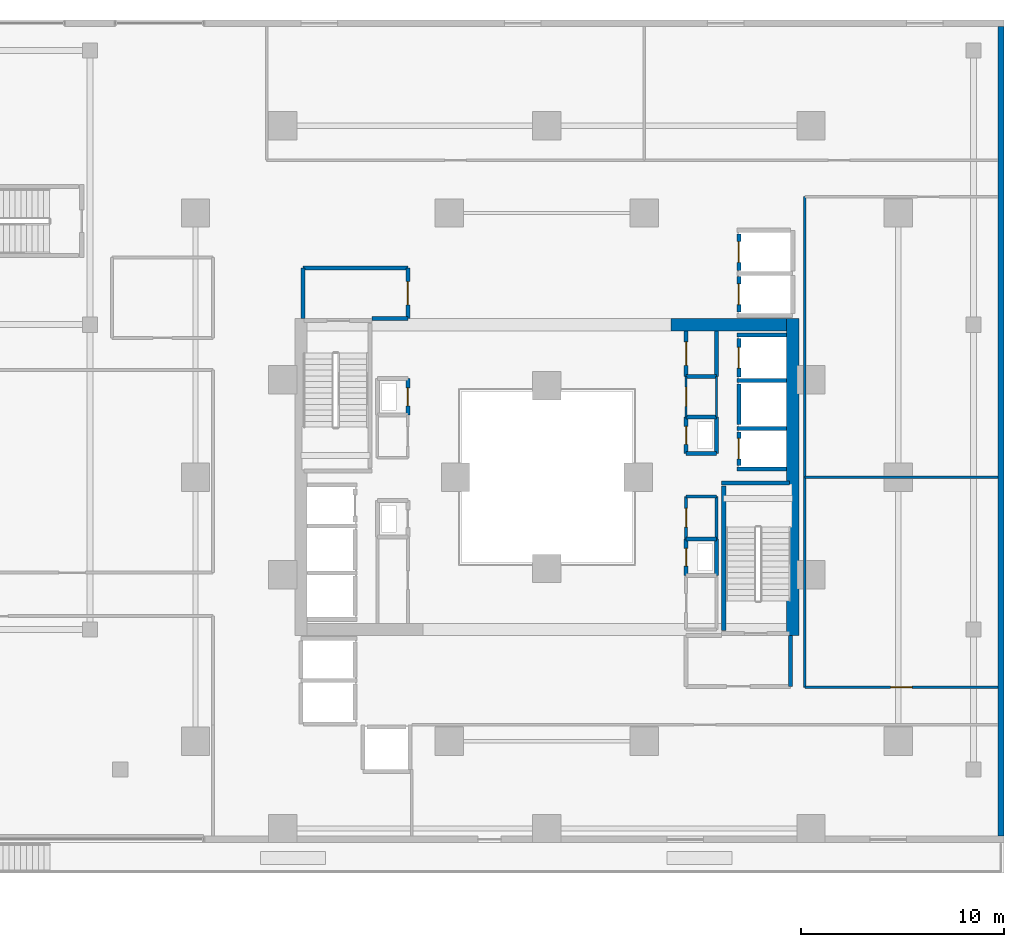
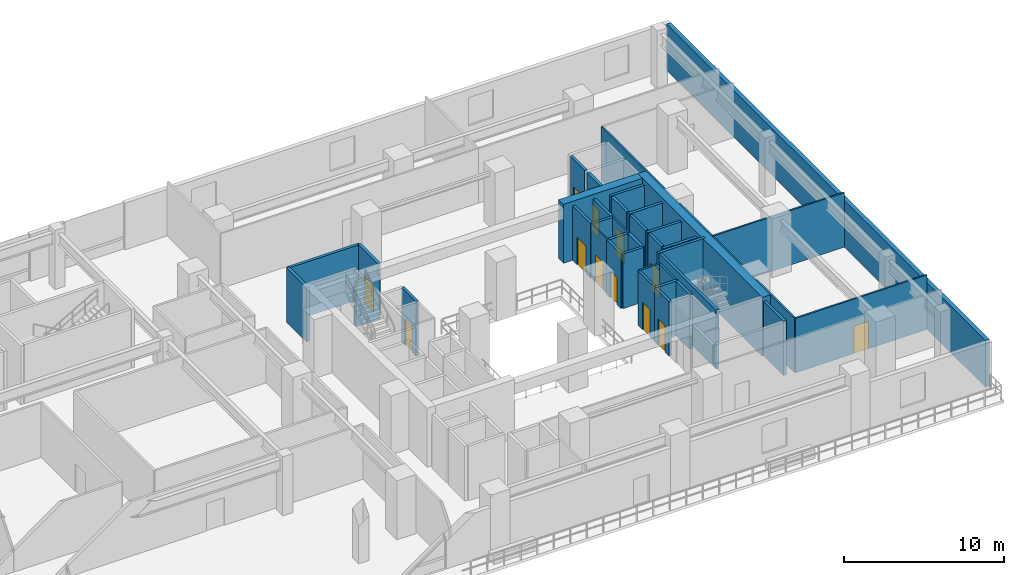
# One storey, part 17 of 24: 39 walls, 12 doors, 12 openings.
"""IFC4 building model written with IfcOpenShell, lengths in metres."""

from ifc_helpers import new_model, si_unit, direction, frame, frame_2d, origin, place, context, subcontext, project, spatial, rectangle, extrude, material, layer, layer_set, type_object, element, fill, save


model = new_model("IFC4")

# Units and contexts
model_context = context("Model", 3, precision=1e-05, world=origin(), true_north=direction((0.0, 1.0)))
body_context = subcontext(model_context, "Body", "Model", "MODEL_VIEW")
ifc_project = project(units=[si_unit("LENGTHUNIT", "METRE"), si_unit("AREAUNIT", "SQUARE_METRE"), si_unit("VOLUMEUNIT", "CUBIC_METRE"), si_unit("PLANEANGLEUNIT", "RADIAN"), si_unit("MASSUNIT", "GRAM", prefix="KILO")], contexts=[model_context])

# Site, building, storey
site_placement = place(None, origin())
site = spatial("IfcSite", under=ifc_project, at=site_placement, CompositionType="ELEMENT")
building_placement = place(site_placement, origin())
building = spatial("IfcBuilding", under=site, at=building_placement, Name="Thornwick Lancets Civic Towers", CompositionType="ELEMENT")
storey_placement = place(building_placement, frame((0.0, 0.0, 14.10009765625)))
storey = spatial("IfcBuildingStorey", under=building, at=storey_placement, Name="L03", CompositionType="ELEMENT", Elevation=14.10009765625)

# Wall, opening, door
ifc_material_1 = material(Name="Concrete blockwork C40/50", Category="masonry")
ifc_layer_1 = layer(ifc_material_1, 0.199951171875, Name="Concrete blockwork C40/50")
ifc_layer_set_1 = layer_set([ifc_layer_1], Name="Concrete blockwork C40/50")
wall_type_1 = type_object("IfcWallType", Name="WALL_COMP_200", PredefinedType="STANDARD", material=ifc_layer_set_1)
wall_1_placement = place(storey_placement, frame((97.949951171875, 29.219970703125, 0.0), z_axis=(0.0, 0.0, 1.0), x_axis=(0.0, -1.0, 0.0)))
wall_1 = element("IfcWall", 1, at=wall_1_placement, inside=storey, type_object=wall_type_1, Name="L03 Hoistway Front Wall FL-B1", PredefinedType="STANDARD", context=body_context, shape_type="SweptSolid", body=[
    extrude(rectangle(XDim=1.639892578125, YDim=0.199951171875, at=frame_2d((0.81982421875, 0.0))), origin(), (0.0, 0.0, 1.0), 4.159912109375),
])
opening_1_placement = place(wall_1_placement, frame((0.31005859375, 0.0, 0.0)))
opening_1 = element("IfcOpeningElement", 2, at=opening_1_placement, cuts=wall_1, Name="Opening LD-FL-B1", PredefinedType="OPENING", context=body_context, shape_type="SweptSolid", body=[
    extrude(rectangle(XDim=1.02001953125, YDim=2.06005859375, at=frame_2d((0.510009765625, 1.030029296875))), frame((0.0, 0.10986328125, 0.0), z_axis=(0.0, -1.0, 0.0), x_axis=(1.0, 0.0, 0.0)), (0.0, 0.0, 1.0), 0.219970703125),
])
ifc_material_2 = material(Name="Brushed bronze stainless steel", Category="steel")
door_type_1 = type_object("IfcDoorType", Name="DOOR_LIFT_SLIDE", OperationType="SLIDING_TO_LEFT", PredefinedType="DOOR", material=ifc_material_2)
door_1_placement = place(opening_1_placement, origin())
door_1 = element("IfcDoor", 3, at=door_1_placement, inside=storey, type_object=door_type_1, Name="L03 Sliding Lift Landing Door LD-FL-B1", OperationType="SLIDING_TO_LEFT", OverallHeight=2.06005859375, OverallWidth=1.02001953125, PredefinedType="DOOR", context=body_context, shape_type="SweptSolid", body=[
    extrude(rectangle(XDim=1.02001953125, YDim=2.06005859375, at=frame_2d((0.510009765625, 1.030029296875))), frame((0.0, 0.02490234375, 0.0), z_axis=(0.0, -1.0, 0.0), x_axis=(1.0, 0.0, 0.0)), (0.0, 0.0, 1.0), 0.050048828125),
])
fill(opening_1, door_1)

# Wall
wall_2_placement = place(storey_placement, frame((97.949951171875, 31.570068359375, 0.0), z_axis=(0.0, 0.0, 1.0), x_axis=(0.0, -1.0, 0.0)))
element("IfcWall", 4, at=wall_2_placement, inside=storey, type_object=wall_type_1, Name="L03 Hoistway Front Wall PL-BH1", PredefinedType="STANDARD", context=body_context, shape_type="SweptSolid", body=[
    extrude(rectangle(XDim=1.989990234375, YDim=0.199951171875, at=frame_2d((0.9951171875, 0.0))), origin(), (0.0, 0.0, 1.0), 4.159912109375),
])

# Wall, opening, door
wall_3_placement = place(storey_placement, frame((97.949951171875, 33.820068359375, 0.0), z_axis=(0.0, 0.0, 1.0), x_axis=(0.0, -1.0, 0.0)))
wall_3 = element("IfcWall", 5, at=wall_3_placement, inside=storey, type_object=wall_type_1, Name="L03 Hoistway Front Wall PL-BL1", PredefinedType="STANDARD", context=body_context, shape_type="SweptSolid", body=[
    extrude(rectangle(XDim=1.89013671875, YDim=0.199951171875, at=frame_2d((0.945068359375, 0.0))), origin(), (0.0, 0.0, 1.0), 4.159912109375),
])
opening_2_placement = place(wall_3_placement, frame((0.43505859375, 0.0, 0.0)))
opening_2 = element("IfcOpeningElement", 6, at=opening_2_placement, cuts=wall_3, Name="Opening LD-PL-BL1", PredefinedType="OPENING", context=body_context, shape_type="SweptSolid", body=[
    extrude(rectangle(XDim=1.02001953125, YDim=2.06005859375, at=frame_2d((0.510009765625, 1.030029296875))), frame((0.0, 0.10986328125, 0.0), z_axis=(0.0, -1.0, 0.0), x_axis=(1.0, 0.0, 0.0)), (0.0, 0.0, 1.0), 0.219970703125),
])
door_2_placement = place(opening_2_placement, origin())
door_2 = element("IfcDoor", 7, at=door_2_placement, inside=storey, type_object=door_type_1, Name="L03 Sliding Lift Landing Door LD-PL-BL1", OperationType="SLIDING_TO_LEFT", OverallHeight=2.06005859375, OverallWidth=1.02001953125, PredefinedType="DOOR", context=body_context, shape_type="SweptSolid", body=[
    extrude(rectangle(XDim=1.02001953125, YDim=2.06005859375, at=frame_2d((0.510009765625, 1.030029296875))), frame((0.0, 0.02490234375, 0.0), z_axis=(0.0, -1.0, 0.0), x_axis=(1.0, 0.0, 0.0)), (0.0, 0.0, 1.0), 0.050048828125),
])
fill(opening_2, door_2)

wall_4_placement = place(storey_placement, frame((97.949951171875, 36.8701171875, 0.0), z_axis=(0.0, 0.0, 1.0), x_axis=(0.0, -1.0, 0.0)))
wall_4 = element("IfcWall", 8, at=wall_4_placement, inside=storey, type_object=wall_type_1, Name="L03 Hoistway Front Wall PL-BL2", PredefinedType="STANDARD", context=body_context, shape_type="SweptSolid", body=[
    extrude(rectangle(XDim=1.740234375, YDim=0.199951171875, at=frame_2d((0.8701171875, 0.0))), origin(), (0.0, 0.0, 1.0), 4.159912109375),
])
opening_3_placement = place(wall_4_placement, frame((0.360107421875, 0.0, 0.0)))
opening_3 = element("IfcOpeningElement", 9, at=opening_3_placement, cuts=wall_4, Name="Opening LD-PL-BL2", PredefinedType="OPENING", context=body_context, shape_type="SweptSolid", body=[
    extrude(rectangle(XDim=1.02001953125, YDim=2.06005859375, at=frame_2d((0.510009765625, 1.030029296875))), frame((0.0, 0.10986328125, 0.0), z_axis=(0.0, -1.0, 0.0), x_axis=(1.0, 0.0, 0.0)), (0.0, 0.0, 1.0), 0.219970703125),
])
door_3_placement = place(opening_3_placement, origin())
door_3 = element("IfcDoor", 10, at=door_3_placement, inside=storey, type_object=door_type_1, Name="L03 Sliding Lift Landing Door LD-PL-BL2", OperationType="SLIDING_TO_LEFT", OverallHeight=2.06005859375, OverallWidth=1.02001953125, PredefinedType="DOOR", context=body_context, shape_type="SweptSolid", body=[
    extrude(rectangle(XDim=1.02001953125, YDim=2.06005859375, at=frame_2d((0.510009765625, 1.030029296875))), frame((0.0, 0.02490234375, 0.0), z_axis=(0.0, -1.0, 0.0), x_axis=(1.0, 0.0, 0.0)), (0.0, 0.0, 1.0), 0.050048828125),
])
fill(opening_3, door_3)

wall_5_placement = place(storey_placement, frame((97.949951171875, 38.969970703125, 0.0), z_axis=(0.0, 0.0, 1.0), x_axis=(0.0, -1.0, 0.0)))
wall_5 = element("IfcWall", 11, at=wall_5_placement, inside=storey, type_object=wall_type_1, Name="L03 Hoistway Front Wall PL-BL3", PredefinedType="STANDARD", context=body_context, shape_type="SweptSolid", body=[
    extrude(rectangle(XDim=1.7900390625, YDim=0.199951171875, at=frame_2d((0.89501953125, 0.0))), origin(), (0.0, 0.0, 1.0), 4.159912109375),
])
opening_4_placement = place(wall_5_placement, frame((0.385009765625, 0.0, 0.0)))
opening_4 = element("IfcOpeningElement", 12, at=opening_4_placement, cuts=wall_5, Name="Opening LD-PL-BL3", PredefinedType="OPENING", context=body_context, shape_type="SweptSolid", body=[
    extrude(rectangle(XDim=1.02001953125, YDim=2.06005859375, at=frame_2d((0.510009765625, 1.030029296875))), frame((0.0, 0.10986328125, 0.0), z_axis=(0.0, -1.0, 0.0), x_axis=(1.0, 0.0, 0.0)), (0.0, 0.0, 1.0), 0.219970703125),
])
door_4_placement = place(opening_4_placement, origin())
door_4 = element("IfcDoor", 13, at=door_4_placement, inside=storey, type_object=door_type_1, Name="L03 Sliding Lift Landing Door LD-PL-BL3", OperationType="SLIDING_TO_LEFT", OverallHeight=2.06005859375, OverallWidth=1.02001953125, PredefinedType="DOOR", context=body_context, shape_type="SweptSolid", body=[
    extrude(rectangle(XDim=1.02001953125, YDim=2.06005859375, at=frame_2d((0.510009765625, 1.030029296875))), frame((0.0, 0.02490234375, 0.0), z_axis=(0.0, -1.0, 0.0), x_axis=(1.0, 0.0, 0.0)), (0.0, 0.0, 1.0), 0.050048828125),
])
fill(opening_4, door_4)

# Walls
for number, where, z_axis, x_axis, name in (
    (14, (97.85205078125, 29.39990234375, 0.0), (0.0, 0.0, 1.0), (1.0, 0.0, 0.0), "L03 Hoistway Shaft Wall FL-B1 N"),
    (15, (97.85205078125, 27.39990234375, 0.0), (0.0, 0.0, 1.0), (1.0, 0.0, 0.0), "L03 Hoistway Shaft Wall FL-B1 S"),
    (16, (97.85205078125, 31.75, 0.0), (0.0, 0.0, 1.0), (1.0, 0.0, 0.0), "L03 Hoistway Shaft Wall PL-BH1 N"),
    (17, (97.85205078125, 34.0, 0.0), (0.0, 0.0, 1.0), (1.0, 0.0, 0.0), "L03 Hoistway Shaft Wall PL-BL1 N"),
):
    element("IfcWall", number, at=place(storey_placement, frame(where, z_axis=z_axis, x_axis=x_axis)), inside=storey, type_object=wall_type_1, Name=name, PredefinedType="STANDARD", context=body_context, shape_type="SweptSolid", body=[
        extrude(rectangle(XDim=2.43603515625, YDim=0.199951171875, at=frame_2d((1.218017578125, 0.0))), origin(), (0.0, 0.0, 1.0), 4.159912109375),
    ])
wall_6_placement = place(storey_placement, frame((100.5, 16.699951171875, 0.0), z_axis=(0.0, 0.0, 1.0), x_axis=(0.0, 1.0, 0.0)))
element("IfcWall", 18, at=wall_6_placement, inside=storey, type_object=wall_type_1, Name="L03 Partition L03-B-FFLOB1 E2", PredefinedType="STANDARD", context=body_context, shape_type="SweptSolid", body=[
    extrude(rectangle(XDim=2.5, YDim=0.199951171875, at=frame_2d((1.25, 0.0))), origin(), (0.0, 0.0, 1.0), 4.159912109375),
])
wall_7_placement = place(storey_placement, frame((79.89990234375, 34.800048828125, 0.0), z_axis=(0.0, 0.0, 1.0), x_axis=(1.0, 0.0, 0.0)))
element("IfcWall", 19, at=wall_7_placement, inside=storey, type_object=wall_type_1, Name="L03 Partition L03-B-FFLOB2 E1", PredefinedType="STANDARD", context=body_context, shape_type="SweptSolid", body=[
    extrude(rectangle(XDim=1.75, YDim=0.199951171875, at=frame_2d((0.875, 0.0))), origin(), (0.0, 0.0, 1.0), 3.364990234375),
])

# Wall, opening, door
wall_8_placement = place(storey_placement, frame((81.64990234375, 34.800048828125, 0.0), z_axis=(0.0, 0.0, 1.0), x_axis=(0.0, 1.0, 0.0)))
wall_8 = element("IfcWall", 20, at=wall_8_placement, inside=storey, type_object=wall_type_1, Name="L03 Partition L03-B-FFLOB2 E2", PredefinedType="STANDARD", context=body_context, shape_type="SweptSolid", body=[
    extrude(rectangle(XDim=2.5, YDim=0.199951171875, at=frame_2d((1.25, 0.0))), origin(), (0.0, 0.0, 1.0), 4.159912109375),
])
opening_5_placement = place(wall_8_placement, frame((0.675048828125, 0.0, 0.0)))
opening_5 = element("IfcOpeningElement", 21, at=opening_5_placement, cuts=wall_8, Name="Opening D-L03-0198", PredefinedType="OPENING", context=body_context, shape_type="SweptSolid", body=[
    extrude(rectangle(XDim=1.14990234375, YDim=2.10009765625, at=frame_2d((0.574951171875, 1.050048828125))), frame((0.0, 0.10986328125, 0.0), z_axis=(0.0, -1.0, 0.0), x_axis=(1.0, 0.0, 0.0)), (0.0, 0.0, 1.0), 0.219970703125),
])
ifc_material_3 = material(Name="Glazed fire-resisting steel", Category="steel")
door_type_2 = type_object("IfcDoorType", Name="DOOR_LOBBY_FD60", OperationType="NOTDEFINED", PredefinedType="DOOR", material=ifc_material_3)
door_5_placement = place(opening_5_placement, origin())
door_5 = element("IfcDoor", 22, at=door_5_placement, inside=storey, type_object=door_type_2, Name="L03 West Firefighting Lobby 2 Door", OperationType="SINGLE_SWING_LEFT", OverallHeight=2.10009765625, OverallWidth=1.14990234375, PredefinedType="DOOR", context=body_context, shape_type="SweptSolid", body=[
    extrude(rectangle(XDim=1.14990234375, YDim=2.10009765625, at=frame_2d((0.574951171875, 1.050048828125))), frame((0.0, 0.02490234375, 0.0), z_axis=(0.0, -1.0, 0.0), x_axis=(1.0, 0.0, 0.0)), (0.0, 0.0, 1.0), 0.050048828125),
])
fill(opening_5, door_5)

# Walls
wall_9_placement = place(storey_placement, frame((81.64990234375, 37.300048828125, 0.0), z_axis=(0.0, 0.0, 1.0), x_axis=(-1.0, 0.0, 0.0)))
element("IfcWall", 23, at=wall_9_placement, inside=storey, type_object=wall_type_1, Name="L03 Partition L03-B-FFLOB2 E3", PredefinedType="STANDARD", context=body_context, shape_type="SweptSolid", body=[
    extrude(rectangle(XDim=5.14990234375, YDim=0.199951171875, at=frame_2d((2.574951171875, 0.0))), origin(), (0.0, 0.0, 1.0), 4.159912109375),
])
wall_10_placement = place(storey_placement, frame((76.5, 37.300048828125, 0.0), z_axis=(0.0, 0.0, 1.0), x_axis=(0.0, -1.0, 0.0)))
element("IfcWall", 24, at=wall_10_placement, inside=storey, type_object=wall_type_1, Name="L03 Partition L03-B-FFLOB2 E4", PredefinedType="STANDARD", context=body_context, shape_type="SweptSolid", body=[
    extrude(rectangle(XDim=2.5, YDim=0.199951171875, at=frame_2d((1.25, 0.0))), origin(), (0.0, 0.0, 1.0), 4.159912109375),
])
wall_11_placement = place(storey_placement, frame((95.35009765625, 28.14990234375, 0.0), z_axis=(0.0, 0.0, 1.0), x_axis=(1.0, 0.0, 0.0)))
element("IfcWall", 25, at=wall_11_placement, inside=storey, type_object=wall_type_1, Name="L03 Partition L03-B-DUCT1 E1", PredefinedType="STANDARD", context=body_context, shape_type="SweptSolid", body=[
    extrude(rectangle(XDim=1.5, YDim=0.199951171875, at=frame_2d((0.75, 0.0))), origin(), (0.0, 0.0, 1.0), 4.159912109375),
])
wall_12_placement = place(storey_placement, frame((96.85009765625, 28.14990234375, 0.0), z_axis=(0.0, 0.0, 1.0), x_axis=(0.0, 1.0, 0.0)))
element("IfcWall", 26, at=wall_12_placement, inside=storey, type_object=wall_type_1, Name="L03 Partition L03-B-DUCT1 E2", PredefinedType="STANDARD", context=body_context, shape_type="SweptSolid", body=[
    extrude(rectangle(XDim=1.800048828125, YDim=0.199951171875, at=frame_2d((0.89990234375, 0.0))), origin(), (0.0, 0.0, 1.0), 4.159912109375),
])
wall_13_placement = place(storey_placement, frame((96.85009765625, 29.949951171875, 0.0), z_axis=(0.0, 0.0, 1.0), x_axis=(-1.0, 0.0, 0.0)))
element("IfcWall", 27, at=wall_13_placement, inside=storey, type_object=wall_type_1, Name="L03 Partition L03-B-DUCT1 E3", PredefinedType="STANDARD", context=body_context, shape_type="SweptSolid", body=[
    extrude(rectangle(XDim=1.5, YDim=0.199951171875, at=frame_2d((0.75, 0.0))), origin(), (0.0, 0.0, 1.0), 4.159912109375),
])

# Wall, opening, door
wall_14_placement = place(storey_placement, frame((95.35009765625, 29.949951171875, 0.0), z_axis=(0.0, 0.0, 1.0), x_axis=(0.0, -1.0, 0.0)))
wall_14 = element("IfcWall", 28, at=wall_14_placement, inside=storey, type_object=wall_type_1, Name="L03 Partition L03-B-DUCT1 E4", PredefinedType="STANDARD", context=body_context, shape_type="SweptSolid", body=[
    extrude(rectangle(XDim=1.800048828125, YDim=0.199951171875, at=frame_2d((0.89990234375, 0.0))), origin(), (0.0, 0.0, 1.0), 4.159912109375),
])
opening_6_placement = place(wall_14_placement, frame((0.4599609375, 0.0, 0.0)))
opening_6 = element("IfcOpeningElement", 29, at=opening_6_placement, cuts=wall_14, Name="Opening D-L03-0199", PredefinedType="OPENING", context=body_context, shape_type="SweptSolid", body=[
    extrude(rectangle(XDim=0.8798828125, YDim=2.0400390625, at=frame_2d((0.43994140625, 1.02001953125))), frame((0.0, 0.10986328125, 0.0), z_axis=(0.0, -1.0, 0.0), x_axis=(1.0, 0.0, 0.0)), (0.0, 0.0, 1.0), 0.219970703125),
])
ifc_material_4 = material(Name="Steel riser access doorset", Category="steel")
door_type_3 = type_object("IfcDoorType", Name="DOOR_RISER_850", OperationType="NOTDEFINED", PredefinedType="DOOR", material=ifc_material_4)
door_6_placement = place(opening_6_placement, origin())
door_6 = element("IfcDoor", 30, at=door_6_placement, inside=storey, type_object=door_type_3, Name="L03 East Service Duct 1 Door", OperationType="SINGLE_SWING_RIGHT", OverallHeight=2.0400390625, OverallWidth=0.8798828125, PredefinedType="DOOR", context=body_context, shape_type="SweptSolid", body=[
    extrude(rectangle(XDim=0.8798828125, YDim=2.0400390625, at=frame_2d((0.43994140625, 1.02001953125))), frame((0.0, 0.02490234375, 0.0), z_axis=(0.0, -1.0, 0.0), x_axis=(1.0, 0.0, 0.0)), (0.0, 0.0, 1.0), 0.050048828125),
])
fill(opening_6, door_6)

# Walls
wall_15_placement = place(storey_placement, frame((96.85009765625, 22.14990234375, 0.0), z_axis=(0.0, 0.0, 1.0), x_axis=(0.0, 1.0, 0.0)))
element("IfcWall", 31, at=wall_15_placement, inside=storey, type_object=wall_type_1, Name="L03 Partition L03-B-RISER1 E2", PredefinedType="STANDARD", context=body_context, shape_type="SweptSolid", body=[
    extrude(rectangle(XDim=1.800048828125, YDim=0.199951171875, at=frame_2d((0.89990234375, 0.0))), origin(), (0.0, 0.0, 1.0), 4.159912109375),
])
wall_16_placement = place(storey_placement, frame((96.85009765625, 23.949951171875, 0.0), z_axis=(0.0, 0.0, 1.0), x_axis=(-1.0, 0.0, 0.0)))
element("IfcWall", 32, at=wall_16_placement, inside=storey, type_object=wall_type_1, Name="L03 Partition L03-B-RISER1 E3", PredefinedType="STANDARD", context=body_context, shape_type="SweptSolid", body=[
    extrude(rectangle(XDim=1.5, YDim=0.199951171875, at=frame_2d((0.75, 0.0))), origin(), (0.0, 0.0, 1.0), 4.159912109375),
])

# Wall, opening, door
wall_17_placement = place(storey_placement, frame((95.35009765625, 23.949951171875, 0.0), z_axis=(0.0, 0.0, 1.0), x_axis=(0.0, -1.0, 0.0)))
wall_17 = element("IfcWall", 33, at=wall_17_placement, inside=storey, type_object=wall_type_1, Name="L03 Partition L03-B-RISER1 E4", PredefinedType="STANDARD", context=body_context, shape_type="SweptSolid", body=[
    extrude(rectangle(XDim=1.800048828125, YDim=0.199951171875, at=frame_2d((0.89990234375, 0.0))), origin(), (0.0, 0.0, 1.0), 4.159912109375),
])
opening_7_placement = place(wall_17_placement, frame((0.4599609375, 0.0, 0.0)))
opening_7 = element("IfcOpeningElement", 34, at=opening_7_placement, cuts=wall_17, Name="Opening D-L03-0200", PredefinedType="OPENING", context=body_context, shape_type="SweptSolid", body=[
    extrude(rectangle(XDim=0.8798828125, YDim=2.0400390625, at=frame_2d((0.43994140625, 1.02001953125))), frame((0.0, 0.10986328125, 0.0), z_axis=(0.0, -1.0, 0.0), x_axis=(1.0, 0.0, 0.0)), (0.0, 0.0, 1.0), 0.219970703125),
])
door_7_placement = place(opening_7_placement, origin())
door_7 = element("IfcDoor", 35, at=door_7_placement, inside=storey, type_object=door_type_3, Name="L03 East Electrical Riser 1 Door", OperationType="SINGLE_SWING_LEFT", OverallHeight=2.0400390625, OverallWidth=0.8798828125, PredefinedType="DOOR", context=body_context, shape_type="SweptSolid", body=[
    extrude(rectangle(XDim=0.8798828125, YDim=2.0400390625, at=frame_2d((0.43994140625, 1.02001953125))), frame((0.0, 0.02490234375, 0.0), z_axis=(0.0, -1.0, 0.0), x_axis=(1.0, 0.0, 0.0)), (0.0, 0.0, 1.0), 0.050048828125),
])
fill(opening_7, door_7)

wall_18_placement = place(storey_placement, frame((81.64990234375, 30.050048828125, 0.0), z_axis=(0.0, 0.0, 1.0), x_axis=(0.0, 1.0, 0.0)))
wall_18 = element("IfcWall", 36, at=wall_18_placement, inside=storey, type_object=wall_type_1, Name="L03 Partition L03-B-RISER2 E2", PredefinedType="STANDARD", context=body_context, shape_type="SweptSolid", body=[
    extrude(rectangle(XDim=1.800048828125, YDim=0.199951171875, at=frame_2d((0.89990234375, 0.0))), origin(), (0.0, 0.0, 1.0), 4.159912109375),
])
opening_8_placement = place(wall_18_placement, frame((0.4599609375, 0.0, 0.0)))
opening_8 = element("IfcOpeningElement", 37, at=opening_8_placement, cuts=wall_18, Name="Opening D-L03-0202", PredefinedType="OPENING", context=body_context, shape_type="SweptSolid", body=[
    extrude(rectangle(XDim=0.8798828125, YDim=2.0400390625, at=frame_2d((0.43994140625, 1.02001953125))), frame((0.0, 0.10986328125, 0.0), z_axis=(0.0, -1.0, 0.0), x_axis=(1.0, 0.0, 0.0)), (0.0, 0.0, 1.0), 0.219970703125),
])
door_8_placement = place(opening_8_placement, origin())
door_8 = element("IfcDoor", 38, at=door_8_placement, inside=storey, type_object=door_type_3, Name="L03 West Service Riser 2 Door", OperationType="SINGLE_SWING_LEFT", OverallHeight=2.0400390625, OverallWidth=0.8798828125, PredefinedType="DOOR", context=body_context, shape_type="SweptSolid", body=[
    extrude(rectangle(XDim=0.8798828125, YDim=2.0400390625, at=frame_2d((0.43994140625, 1.02001953125))), frame((0.0, 0.02490234375, 0.0), z_axis=(0.0, -1.0, 0.0), x_axis=(1.0, 0.0, 0.0)), (0.0, 0.0, 1.0), 0.050048828125),
])
fill(opening_8, door_8)

wall_19_placement = place(storey_placement, frame((95.35009765625, 31.949951171875, 0.0), z_axis=(0.0, 0.0, 1.0), x_axis=(0.0, 1.0, 0.0)))
wall_19 = element("IfcWall", 39, at=wall_19_placement, inside=storey, type_object=wall_type_1, Name="L03 Partition L03-B-ITR2 E1", PredefinedType="STANDARD", context=body_context, shape_type="SweptSolid", body=[
    extrude(rectangle(XDim=2.25, YDim=0.199951171875, at=frame_2d((1.125, 0.0))), origin(), (0.0, 0.0, 1.0), 4.159912109375),
])
opening_9_placement = place(wall_19_placement, frame((0.550048828125, 0.0, 0.0)))
opening_9 = element("IfcOpeningElement", 40, at=opening_9_placement, cuts=wall_19, Name="Opening D-L03-0206", PredefinedType="OPENING", context=body_context, shape_type="SweptSolid", body=[
    extrude(rectangle(XDim=1.14990234375, YDim=2.10009765625, at=frame_2d((0.574951171875, 1.050048828125))), frame((0.0, 0.10986328125, 0.0), z_axis=(0.0, -1.0, 0.0), x_axis=(1.0, 0.0, 0.0)), (0.0, 0.0, 1.0), 0.219970703125),
])
door_9_placement = place(opening_9_placement, origin())
door_9 = element("IfcDoor", 41, at=door_9_placement, inside=storey, type_object=door_type_2, Name="L03 Tower B Statutory Core Archive Door", OperationType="SINGLE_SWING_LEFT", OverallHeight=2.10009765625, OverallWidth=1.14990234375, PredefinedType="DOOR", context=body_context, shape_type="SweptSolid", body=[
    extrude(rectangle(XDim=1.14990234375, YDim=2.10009765625, at=frame_2d((0.574951171875, 1.050048828125))), frame((0.0, 0.02490234375, 0.0), z_axis=(0.0, -1.0, 0.0), x_axis=(1.0, 0.0, 0.0)), (0.0, 0.0, 1.0), 0.050048828125),
])
fill(opening_9, door_9)

# Walls
wall_20_placement = place(storey_placement, frame((96.85009765625, 34.199951171875, 0.0), z_axis=(0.0, 0.0, 1.0), x_axis=(0.0, -1.0, 0.0)))
element("IfcWall", 42, at=wall_20_placement, inside=storey, type_object=wall_type_1, Name="L03 Partition L03-B-ITR2 E3", PredefinedType="STANDARD", context=body_context, shape_type="SweptSolid", body=[
    extrude(rectangle(XDim=2.25, YDim=0.199951171875, at=frame_2d((1.125, 0.0))), origin(), (0.0, 0.0, 1.0), 4.159912109375),
])
wall_21_placement = place(storey_placement, frame((96.85009765625, 31.949951171875, 0.0), z_axis=(0.0, 0.0, 1.0), x_axis=(-1.0, 0.0, 0.0)))
element("IfcWall", 43, at=wall_21_placement, inside=storey, type_object=wall_type_1, Name="L03 Partition L03-B-ITR2 E4", PredefinedType="STANDARD", context=body_context, shape_type="SweptSolid", body=[
    extrude(rectangle(XDim=1.5, YDim=0.199951171875, at=frame_2d((0.75, 0.0))), origin(), (0.0, 0.0, 1.0), 4.159912109375),
])
ifc_material_5 = material(Name="Concrete C60/75", Category="concrete")
ifc_layer_2 = layer(ifc_material_5, 0.60009765625, Name="Concrete C60/75")
ifc_layer_set_2 = layer_set([ifc_layer_2], Name="Concrete C60/75")
wall_type_2 = type_object("IfcWallType", Name="WALL_CORE_600", PredefinedType="SHEAR", material=ifc_layer_set_2)
wall_22_placement = place(storey_placement, frame((100.60009765625, 19.199951171875, 0.0), z_axis=(0.0, 0.0, 1.0), x_axis=(0.0, 1.0, 0.0)))
element("IfcWall", 44, at=wall_22_placement, inside=storey, type_object=wall_type_2, Name="L03 Split Core B1 Shear Wall E", PredefinedType="SHEAR", context=body_context, shape_type="SweptSolid", body=[
    extrude(rectangle(XDim=15.60009765625, YDim=0.60009765625, at=frame_2d((7.800048828125, 0.0))), origin(), (0.0, 0.0, 1.0), 4.5),
])
wall_23_placement = place(storey_placement, frame((94.60009765625, 34.5, 0.0), z_axis=(0.0, 0.0, 1.0), x_axis=(1.0, 0.0, 0.0)))
element("IfcWall", 45, at=wall_23_placement, inside=storey, type_object=wall_type_2, Name="L03 Split Core B1 Shear Wall N", PredefinedType="SHEAR", context=body_context, shape_type="SweptSolid", body=[
    extrude(rectangle(XDim=5.699951171875, YDim=0.60009765625, at=frame_2d((2.85009765625, 0.0))), origin(), (0.0, 0.0, 1.0), 4.5),
])
ifc_material_6 = material(Name="Insulated russet terracotta rainscreen on concrete C40/50", Category="masonry")
ifc_layer_3 = layer(ifc_material_6, 0.300048828125, Name="Insulated russet terracotta rainscreen on concrete C40/50")
ifc_layer_set_3 = layer_set([ifc_layer_3], Name="Insulated russet terracotta rainscreen on concrete C40/50")
wall_type_3 = type_object("IfcWallType", Name="WALL_EXT_RUSSET_300", PredefinedType="STANDARD", material=ifc_layer_set_3)
wall_24_placement = place(storey_placement, frame((110.85009765625, 9.320068359375, 0.0), z_axis=(0.0, 0.0, 1.0), x_axis=(0.0, 1.0, 0.0)))
element("IfcWall", 46, at=wall_24_placement, inside=storey, type_object=wall_type_3, Name="L03 Podium East Facade Wall", PredefinedType="STANDARD", context=body_context, shape_type="SweptSolid", body=[
    extrude(rectangle(XDim=39.85986328125, YDim=0.300048828125, at=frame_2d((19.929931640625, 0.0))), origin(), (0.0, 0.0, 1.0), 3.559814453125),
])

# Wall, opening, door
ifc_material_7 = material(Name="Lightweight cellular office partition")
ifc_layer_4 = layer(ifc_material_7, 0.10009765625, Name="Lightweight cellular office partition")
ifc_layer_set_4 = layer_set([ifc_layer_4], Name="Lightweight cellular office partition")
wall_type_4 = type_object("IfcWallType", Name="WALL_PART_100", PredefinedType="PARTITIONING", material=ifc_layer_set_4)
wall_25_placement = place(storey_placement, frame((95.35009765625, 29.949951171875, 0.0), z_axis=(0.0, 0.0, 1.0), x_axis=(0.0, 1.0, 0.0)))
wall_25 = element("IfcWall", 47, at=wall_25_placement, inside=storey, type_object=wall_type_4, Name="L03 Partition L03-B-CLN E1", PredefinedType="PARTITIONING", context=body_context, shape_type="SweptSolid", body=[
    extrude(rectangle(XDim=2.0, YDim=0.10009765625, at=frame_2d((1.0, 0.0))), origin(), (0.0, 0.0, 1.0), 4.159912109375),
])
opening_10_placement = place(wall_25_placement, frame((0.52490234375, 0.0, 0.0)))
opening_10 = element("IfcOpeningElement", 48, at=opening_10_placement, cuts=wall_25, Name="Opening D-L03-0205", PredefinedType="OPENING", context=body_context, shape_type="SweptSolid", body=[
    extrude(rectangle(XDim=0.949951171875, YDim=2.10009765625, at=frame_2d((0.47509765625, 1.050048828125))), frame((0.0, 0.06005859375, 0.0), z_axis=(0.0, -1.0, 0.0), x_axis=(1.0, 0.0, 0.0)), (0.0, 0.0, 1.0), 0.1201171875),
])
ifc_material_8 = material(Name="European oak acoustic doorset")
door_type_4 = type_object("IfcDoorType", Name="DOOR_OFFICE_950", OperationType="NOTDEFINED", PredefinedType="DOOR", material=ifc_material_8)
door_10_placement = place(opening_10_placement, origin())
door_10 = element("IfcDoor", 49, at=door_10_placement, inside=storey, type_object=door_type_4, Name="L03 Tower B Cleaners Store Door", OperationType="SINGLE_SWING_RIGHT", OverallHeight=2.10009765625, OverallWidth=0.949951171875, PredefinedType="DOOR", context=body_context, shape_type="SweptSolid", body=[
    extrude(rectangle(XDim=0.949951171875, YDim=2.10009765625, at=frame_2d((0.47509765625, 1.050048828125))), frame((0.0, 0.02490234375, 0.0), z_axis=(0.0, -1.0, 0.0), x_axis=(1.0, 0.0, 0.0)), (0.0, 0.0, 1.0), 0.050048828125),
])
fill(opening_10, door_10)

# Walls
wall_26_placement = place(storey_placement, frame((96.85009765625, 31.949951171875, 0.0), z_axis=(0.0, 0.0, 1.0), x_axis=(0.0, -1.0, 0.0)))
element("IfcWall", 50, at=wall_26_placement, inside=storey, type_object=wall_type_4, Name="L03 Partition L03-B-CLN E3", PredefinedType="PARTITIONING", context=body_context, shape_type="SweptSolid", body=[
    extrude(rectangle(XDim=2.0, YDim=0.10009765625, at=frame_2d((1.0, 0.0))), origin(), (0.0, 0.0, 1.0), 4.159912109375),
])
ifc_material_9 = material(Name="Acoustic gypsum board partition")
ifc_layer_5 = layer(ifc_material_9, 0.1201171875, Name="Acoustic gypsum board partition")
ifc_layer_set_5 = layer_set([ifc_layer_5], Name="Acoustic gypsum board partition")
wall_type_5 = type_object("IfcWallType", Name="WALL_PART_120", PredefinedType="PARTITIONING", material=ifc_layer_set_5)
wall_27_placement = place(storey_placement, frame((101.199951171875, 16.64990234375, 0.0), z_axis=(0.0, 0.0, 1.0), x_axis=(0.0, 1.0, 0.0)))
element("IfcWall", 51, at=wall_27_placement, inside=storey, type_object=wall_type_5, Name="L03 Partition L03-PANT E1", PredefinedType="PARTITIONING", context=body_context, shape_type="SweptSolid", body=[
    extrude(rectangle(XDim=10.35009765625, YDim=0.1201171875, at=frame_2d((5.175048828125, 0.0))), origin(), (0.0, 0.0, 1.0), 4.159912109375),
])
wall_28_placement = place(storey_placement, frame((101.199951171875, 27.0, 0.0), z_axis=(0.0, 0.0, 1.0), x_axis=(1.0, 0.0, 0.0)))
element("IfcWall", 52, at=wall_28_placement, inside=storey, type_object=wall_type_5, Name="L03 Partition L03-PANT E2", PredefinedType="PARTITIONING", context=body_context, shape_type="SweptSolid", body=[
    extrude(rectangle(XDim=9.5, YDim=0.1201171875, at=frame_2d((4.75, 0.0))), origin(), (0.0, 0.0, 1.0), 4.159912109375),
])

# Wall, opening, door
wall_29_placement = place(storey_placement, frame((110.699951171875, 16.64990234375, 0.0), z_axis=(0.0, 0.0, 1.0), x_axis=(-1.0, 0.0, 0.0)))
wall_29 = element("IfcWall", 53, at=wall_29_placement, inside=storey, type_object=wall_type_5, Name="L03 Partition L03-PANT E4", PredefinedType="PARTITIONING", context=body_context, shape_type="SweptSolid", body=[
    extrude(rectangle(XDim=9.5, YDim=0.1201171875, at=frame_2d((4.75, 0.0))), origin(), (0.0, 0.0, 1.0), 4.159912109375),
])
opening_11_placement = place(wall_29_placement, frame((4.22509765625, 0.0, 0.0)))
opening_11 = element("IfcOpeningElement", 54, at=opening_11_placement, cuts=wall_29, Name="Opening D-L03-0215", PredefinedType="OPENING", context=body_context, shape_type="SweptSolid", body=[
    extrude(rectangle(XDim=1.050048828125, YDim=2.10009765625, at=frame_2d((0.52490234375, 1.050048828125))), frame((0.0, 0.070068359375, 0.0), z_axis=(0.0, -1.0, 0.0), x_axis=(1.0, 0.0, 0.0)), (0.0, 0.0, 1.0), 0.14013671875),
])
ifc_material_10 = material(Name="Glazed European oak executive doorset")
door_type_5 = type_object("IfcDoorType", Name="DOOR_OFFICE_1050", OperationType="NOTDEFINED", PredefinedType="DOOR", material=ifc_material_10)
door_11_placement = place(opening_11_placement, origin())
door_11 = element("IfcDoor", 55, at=door_11_placement, inside=storey, type_object=door_type_5, Name="L03 Staff Pantry and Breakout Lounge Door", OperationType="SINGLE_SWING_RIGHT", OverallHeight=2.10009765625, OverallWidth=1.050048828125, PredefinedType="DOOR", context=body_context, shape_type="SweptSolid", body=[
    extrude(rectangle(XDim=1.050048828125, YDim=2.10009765625, at=frame_2d((0.52490234375, 1.050048828125))), frame((0.0, 0.02490234375, 0.0), z_axis=(0.0, -1.0, 0.0), x_axis=(1.0, 0.0, 0.0)), (0.0, 0.0, 1.0), 0.050048828125),
])
fill(opening_11, door_11)

# Wall
wall_30_placement = place(storey_placement, frame((101.199951171875, 27.0, 0.0), z_axis=(0.0, 0.0, 1.0), x_axis=(0.0, 1.0, 0.0)))
element("IfcWall", 56, at=wall_30_placement, inside=storey, type_object=wall_type_5, Name="L03 Partition L03-ESUITE E1", PredefinedType="PARTITIONING", context=body_context, shape_type="SweptSolid", body=[
    extrude(rectangle(XDim=13.800048828125, YDim=0.1201171875, at=frame_2d((6.89990234375, 0.0))), origin(), (0.0, 0.0, 1.0), 4.159912109375),
])

# Wall, opening, door
ifc_material_11 = material(Name="Twin-stud acoustic gypsum board")
ifc_layer_6 = layer(ifc_material_11, 0.14990234375, Name="Twin-stud acoustic gypsum board")
ifc_layer_set_6 = layer_set([ifc_layer_6], Name="Twin-stud acoustic gypsum board")
wall_type_6 = type_object("IfcWallType", Name="WALL_PART_150", PredefinedType="PARTITIONING", material=ifc_layer_set_6)
wall_31_placement = place(storey_placement, frame((95.35009765625, 23.949951171875, 0.0), z_axis=(0.0, 0.0, 1.0), x_axis=(0.0, 1.0, 0.0)))
wall_31 = element("IfcWall", 57, at=wall_31_placement, inside=storey, type_object=wall_type_6, Name="L03 Partition L03-B-AWC E1", PredefinedType="PARTITIONING", context=body_context, shape_type="SweptSolid", body=[
    extrude(rectangle(XDim=2.10009765625, YDim=0.14990234375, at=frame_2d((1.050048828125, 0.0))), origin(), (0.0, 0.0, 1.0), 4.159912109375),
])
opening_12_placement = place(wall_31_placement, frame((0.590087890625, 0.0, 0.0)))
opening_12 = element("IfcOpeningElement", 58, at=opening_12_placement, cuts=wall_31, Name="Opening D-L03-0204", PredefinedType="OPENING", context=body_context, shape_type="SweptSolid", body=[
    extrude(rectangle(XDim=0.919921875, YDim=2.080078125, at=frame_2d((0.4599609375, 1.0400390625))), frame((0.0, 0.0849609375, 0.0), z_axis=(0.0, -1.0, 0.0), x_axis=(1.0, 0.0, 0.0)), (0.0, 0.0, 1.0), 0.169921875),
])
ifc_material_12 = material(Name="Moisture-resistant oak doorset")
door_type_6 = type_object("IfcDoorType", Name="DOOR_WC_900", OperationType="NOTDEFINED", PredefinedType="DOOR", material=ifc_material_12)
door_12_placement = place(opening_12_placement, origin())
door_12 = element("IfcDoor", 59, at=door_12_placement, inside=storey, type_object=door_type_6, Name="L03 Tower B Accessible WC Door", OperationType="SINGLE_SWING_LEFT", OverallHeight=2.080078125, OverallWidth=0.919921875, PredefinedType="DOOR", context=body_context, shape_type="SweptSolid", body=[
    extrude(rectangle(XDim=0.919921875, YDim=2.080078125, at=frame_2d((0.4599609375, 1.0400390625))), frame((0.0, 0.02490234375, 0.0), z_axis=(0.0, -1.0, 0.0), x_axis=(1.0, 0.0, 0.0)), (0.0, 0.0, 1.0), 0.050048828125),
])
fill(opening_12, door_12)

# Walls
wall_32_placement = place(storey_placement, frame((95.35009765625, 26.050048828125, 0.0), z_axis=(0.0, 0.0, 1.0), x_axis=(1.0, 0.0, 0.0)))
element("IfcWall", 60, at=wall_32_placement, inside=storey, type_object=wall_type_6, Name="L03 Partition L03-B-AWC E2", PredefinedType="PARTITIONING", context=body_context, shape_type="SweptSolid", body=[
    extrude(rectangle(XDim=1.5, YDim=0.14990234375, at=frame_2d((0.75, 0.0))), origin(), (0.0, 0.0, 1.0), 4.159912109375),
])
wall_33_placement = place(storey_placement, frame((96.85009765625, 26.050048828125, 0.0), z_axis=(0.0, 0.0, 1.0), x_axis=(0.0, -1.0, 0.0)))
element("IfcWall", 61, at=wall_33_placement, inside=storey, type_object=wall_type_6, Name="L03 Partition L03-B-AWC E3", PredefinedType="PARTITIONING", context=body_context, shape_type="SweptSolid", body=[
    extrude(rectangle(XDim=2.10009765625, YDim=0.14990234375, at=frame_2d((1.050048828125, 0.0))), origin(), (0.0, 0.0, 1.0), 4.159912109375),
])
ifc_material_13 = material(Name="Concrete C40/50", Category="concrete")
ifc_layer_7 = layer(ifc_material_13, 0.199951171875, Name="Concrete C40/50")
ifc_layer_set_7 = layer_set([ifc_layer_7], Name="Concrete C40/50")
wall_type_7 = type_object("IfcWallType", Name="WALL_SHAFT_200", PredefinedType="SHEAR", material=ifc_layer_set_7)
wall_34_placement = place(storey_placement, frame((97.10009765625, 26.699951171875, 0.0), z_axis=(0.0, 0.0, 1.0), x_axis=(1.0, 0.0, 0.0)))
element("IfcWall", 62, at=wall_34_placement, inside=storey, type_object=wall_type_7, Name="L03 ST-B1 Fire Stair Core Wall FAR", PredefinedType="SHEAR", context=body_context, shape_type="SweptSolid", body=[
    extrude(rectangle(XDim=3.349853515625, YDim=0.199951171875, at=frame_2d((1.6748046875, 0.0))), origin(), (0.0, 0.0, 1.0), 4.5),
])
wall_35_placement = place(storey_placement, frame((97.202880859375, 26.550048828125, 0.0), z_axis=(0.0, 0.0, 1.0), x_axis=(0.0, -1.0, 0.0)))
element("IfcWall", 63, at=wall_35_placement, inside=storey, type_object=wall_type_7, Name="L03 ST-B1 Fire Stair Core Wall RIGHT", PredefinedType="SHEAR", context=body_context, shape_type="SweptSolid", body=[
    extrude(rectangle(XDim=7.10009765625, YDim=0.199951171875, at=frame_2d((3.550048828125, 0.0))), origin(), (0.0, 0.0, 1.0), 4.5),
])

save(model, "model.ifc")
